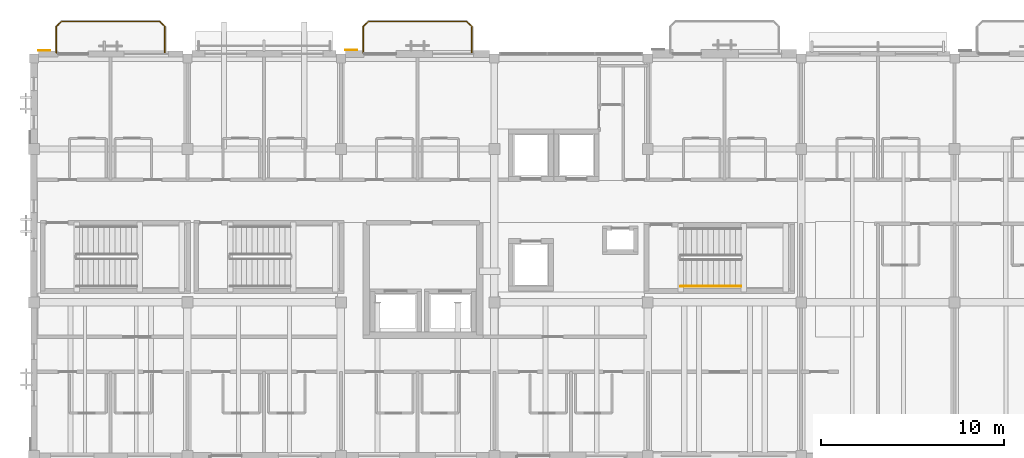
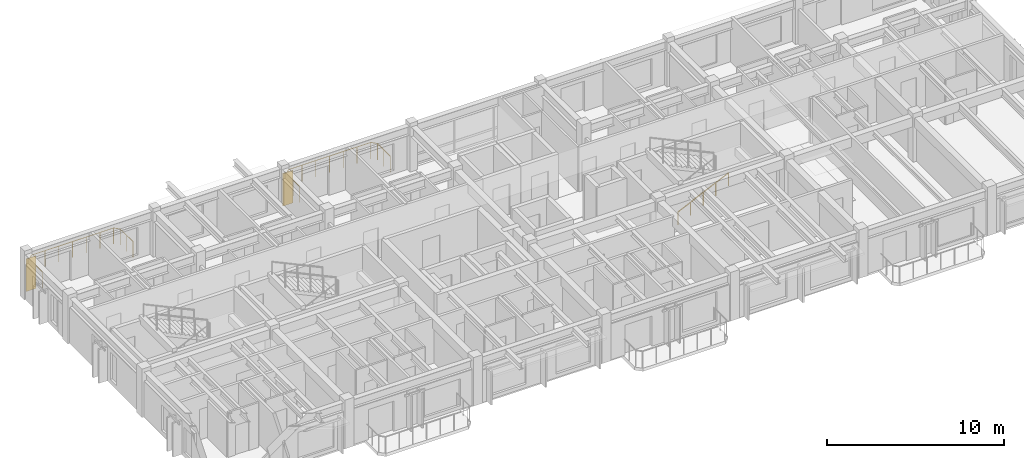
# One storey, part 30 of 31: 3 railings, 2 coverings.
"""IFC4 building model written with IfcOpenShell, lengths in metres."""

from ifc_helpers import new_model, si_unit, direction, frame, origin, origin_2d, place, context, subcontext, project, spatial, polyline, circle, outline, extrude, material, layer, layer_set, type_object, element, save


model = new_model("IFC4")

# Units and contexts
model_context = context("Model", 3, precision=1e-05, world=origin(), true_north=direction((0.0, 1.0)))
body_context = subcontext(model_context, "Body", "Model", "MODEL_VIEW")
ifc_project = project(units=[si_unit("LENGTHUNIT", "METRE"), si_unit("AREAUNIT", "SQUARE_METRE"), si_unit("VOLUMEUNIT", "CUBIC_METRE"), si_unit("PLANEANGLEUNIT", "RADIAN"), si_unit("MASSUNIT", "GRAM", prefix="KILO")], contexts=[model_context])

# Site, building, storey
site_placement = place(None, origin())
site = spatial("IfcSite", under=ifc_project, at=site_placement, CompositionType="ELEMENT")
building_placement = place(site_placement, origin())
building = spatial("IfcBuilding", under=site, at=building_placement, Name="Cumbredor Promenade Congress Hotel", CompositionType="ELEMENT")
storey_placement = place(building_placement, frame((0.0, 0.0, 31.919921875)))
storey = spatial("IfcBuildingStorey", under=building, at=storey_placement, Name="L09", CompositionType="ELEMENT", Elevation=31.919921875)

# Covering
ifc_material_1 = material(Name="Precast concrete C40/50", Category="concrete")
ifc_layer_1 = layer(ifc_material_1, 0.044921875, Name="Precast concrete C40/50", Category="concrete")
ifc_layer_set_1 = layer_set([ifc_layer_1], Name="Precast concrete C40/50")
covering_type_1 = type_object("IfcCoveringType", Name="Board-Formed Architectural Cladding Panel 45mm", PredefinedType="CLADDING", material=ifc_layer_set_1)
covering_1_placement = place(storey_placement, origin())
element("IfcCovering", 1, at=covering_1_placement, inside=storey, type_object=covering_type_1, Name="L09 Facade Stone Cladding Pier 248", PredefinedType="CLADDING", context=body_context, shape_type="SweptSolid", body=[
    extrude(outline(polyline([(25.450927734375, 114.590087890625), (26.10107421875, 114.590087890625), (26.10107421875, 114.635009765625), (25.450927734375, 114.635009765625), (25.450927734375, 114.590087890625)])), origin(), (0.0, 0.0, 1.0), 2.25),
])

# Railings
ifc_material_2 = material(Name="Brushed stainless steel", Category="steel")
railing_type_1 = type_object("IfcRailingType", Name="Sky Garden Glass-and-Steel Balustrade BAL-1150", PredefinedType="BALUSTRADE", material=ifc_material_2)
railing_1_placement = place(storey_placement, frame((26.429931640625, 114.449951171875, 0.0)))
element("IfcRailing", 2, at=railing_1_placement, inside=storey, type_object=railing_type_1, Name="L09 Veranda Balcony Balustrade 054", PredefinedType="BALUSTRADE", context=body_context, shape_type="SweptSolid", body=[
    extrude(circle(Radius=0.02392578125, at=origin_2d()), frame((0.0, 0.0, 1.1259765625), z_axis=(0.0, 1.0, 0.0), x_axis=(-1.0, 0.0, 0.0)), (0.0, 0.0, 1.0), 1.43994140625),
    extrude(circle(Radius=0.02392578125, at=origin_2d()), frame((0.0, 1.43994140625, 1.1259765625), z_axis=(0.707106781187, 0.707106781187, 0.0), x_axis=(-0.707106781187, 0.707106781187, 0.0)), (0.0, 0.0, 1.0), 0.39599609375),
    extrude(circle(Radius=0.02392578125, at=origin_2d()), frame((0.280029296875, 1.719970703125, 1.1259765625), z_axis=(1.0, 0.0, 0.0), x_axis=(0.0, 1.0, 0.0)), (0.0, 0.0, 1.0), 5.380126953125),
    extrude(circle(Radius=0.02392578125, at=origin_2d()), frame((5.66015625, 1.719970703125, 1.1259765625), z_axis=(0.707106781187, -0.707106781187, 0.0), x_axis=(0.707106781187, 0.707106781187, 0.0)), (0.0, 0.0, 1.0), 0.39599609375),
    extrude(circle(Radius=0.02392578125, at=origin_2d()), frame((5.940185546875, 1.43994140625, 1.1259765625), z_axis=(0.0, -1.0, 0.0), x_axis=(1.0, 0.0, 0.0)), (0.0, 0.0, 1.0), 1.43994140625),
    extrude(circle(Radius=0.02099609375, at=origin_2d()), origin(), (0.0, 0.0, 1.0), 1.101806640625),
    extrude(circle(Radius=0.02099609375, at=origin_2d()), frame((0.0, 0.719970703125, 0.0)), (0.0, 0.0, 1.0), 1.101806640625),
    extrude(circle(Radius=0.02099609375, at=origin_2d()), frame((0.0, 1.43994140625, 0.0)), (0.0, 0.0, 1.0), 1.101806640625),
    extrude(circle(Radius=0.02099609375, at=origin_2d()), frame((0.280029296875, 1.719970703125, 0.0)), (0.0, 0.0, 1.0), 1.101806640625),
    extrude(circle(Radius=0.02099609375, at=origin_2d()), frame((1.1767578125, 1.719970703125, 0.0)), (0.0, 0.0, 1.0), 1.101806640625),
    extrude(circle(Radius=0.02099609375, at=origin_2d()), frame((2.073486328125, 1.719970703125, 0.0)), (0.0, 0.0, 1.0), 1.101806640625),
    extrude(circle(Radius=0.02099609375, at=origin_2d()), frame((2.97021484375, 1.719970703125, 0.0)), (0.0, 0.0, 1.0), 1.101806640625),
    extrude(circle(Radius=0.02099609375, at=origin_2d()), frame((3.86669921875, 1.719970703125, 0.0)), (0.0, 0.0, 1.0), 1.101806640625),
    extrude(circle(Radius=0.02099609375, at=origin_2d()), frame((4.763427734375, 1.719970703125, 0.0)), (0.0, 0.0, 1.0), 1.101806640625),
    extrude(circle(Radius=0.02099609375, at=origin_2d()), frame((5.66015625, 1.719970703125, 0.0)), (0.0, 0.0, 1.0), 1.101806640625),
    extrude(circle(Radius=0.02099609375, at=origin_2d()), frame((5.940185546875, 1.43994140625, 0.0)), (0.0, 0.0, 1.0), 1.101806640625),
    extrude(circle(Radius=0.02099609375, at=origin_2d()), frame((5.940185546875, 0.719970703125, 0.0)), (0.0, 0.0, 1.0), 1.101806640625),
    extrude(circle(Radius=0.02099609375, at=origin_2d()), frame((5.940185546875, 0.0, 0.0)), (0.0, 0.0, 1.0), 1.101806640625),
])
railing_type_2 = type_object("IfcRailingType", Name="Stair Pitch Handrail HR-900", PredefinedType="HANDRAIL", material=ifc_material_2)
railing_2_placement = place(storey_placement, frame((43.800048828125, 101.669921875, 0.14013671875)))
element("IfcRailing", 3, at=railing_2_placement, inside=storey, type_object=railing_type_2, Name="L09 ST-03 stair handrail 1", PredefinedType="HANDRAIL", context=body_context, shape_type="SweptSolid", body=[
    extrude(circle(Radius=0.02392578125, at=origin_2d()), frame((0.0, 0.0, 0.8759765625), z_axis=(0.906181427284, 0.0, 0.422889135408), x_axis=(0.0, 1.0, 0.0)), (0.0, 0.0, 1.0), 3.6416015625),
    extrude(circle(Radius=0.02099609375, at=origin_2d()), origin(), (0.0, 0.0, 1.0), 0.851806640625),
    extrude(circle(Radius=0.02099609375, at=origin_2d()), frame((0.824951171875, 0.0, 0.385009765625)), (0.0, 0.0, 1.0), 0.851806640625),
    extrude(circle(Radius=0.02099609375, at=origin_2d()), frame((1.64990234375, 0.0, 0.77001953125)), (0.0, 0.0, 1.0), 0.851806640625),
    extrude(circle(Radius=0.02099609375, at=origin_2d()), frame((2.47509765625, 0.0, 1.155029296875)), (0.0, 0.0, 1.0), 0.851806640625),
    extrude(circle(Radius=0.02099609375, at=origin_2d()), frame((3.300048828125, 0.0, 1.5400390625)), (0.0, 0.0, 1.0), 0.851806640625),
])
railing_type_3 = type_object("IfcRailingType", Name="Terrace Perimeter Balustrade BAL-1120", PredefinedType="BALUSTRADE", material=ifc_material_2)
railing_3_placement = place(storey_placement, frame((9.6298828125, 114.449951171875, 0.0)))
element("IfcRailing", 4, at=railing_3_placement, inside=storey, type_object=railing_type_3, Name="L09 Veranda Balcony Balustrade 053", PredefinedType="BALUSTRADE", context=body_context, shape_type="SweptSolid", body=[
    extrude(circle(Radius=0.02392578125, at=origin_2d()), frame((0.0, 0.0, 1.09619140625), z_axis=(0.0, 1.0, 0.0), x_axis=(-1.0, 0.0, 0.0)), (0.0, 0.0, 1.0), 1.43994140625),
    extrude(circle(Radius=0.02392578125, at=origin_2d()), frame((0.0, 1.43994140625, 1.09619140625), z_axis=(0.707106781187, 0.707106781187, 0.0), x_axis=(-0.707106781187, 0.707106781187, 0.0)), (0.0, 0.0, 1.0), 0.39599609375),
    extrude(circle(Radius=0.02392578125, at=origin_2d()), frame((0.280029296875, 1.719970703125, 1.09619140625), z_axis=(1.0, 0.0, 0.0), x_axis=(0.0, 1.0, 0.0)), (0.0, 0.0, 1.0), 5.380126953125),
    extrude(circle(Radius=0.02392578125, at=origin_2d()), frame((5.66015625, 1.719970703125, 1.09619140625), z_axis=(0.707106781187, -0.707106781187, 0.0), x_axis=(0.707106781187, 0.707106781187, 0.0)), (0.0, 0.0, 1.0), 0.39599609375),
    extrude(circle(Radius=0.02392578125, at=origin_2d()), frame((5.940185546875, 1.43994140625, 1.09619140625), z_axis=(0.0, -1.0, 0.0), x_axis=(1.0, 0.0, 0.0)), (0.0, 0.0, 1.0), 1.43994140625),
    extrude(circle(Radius=0.02099609375, at=origin_2d()), origin(), (0.0, 0.0, 1.0), 1.072021484375),
    extrude(circle(Radius=0.02099609375, at=origin_2d()), frame((0.0, 0.719970703125, 0.0)), (0.0, 0.0, 1.0), 1.072021484375),
    extrude(circle(Radius=0.02099609375, at=origin_2d()), frame((0.0, 1.43994140625, 0.0)), (0.0, 0.0, 1.0), 1.072021484375),
    extrude(circle(Radius=0.02099609375, at=origin_2d()), frame((0.280029296875, 1.719970703125, 0.0)), (0.0, 0.0, 1.0), 1.072021484375),
    extrude(circle(Radius=0.02099609375, at=origin_2d()), frame((1.1767578125, 1.719970703125, 0.0)), (0.0, 0.0, 1.0), 1.072021484375),
    extrude(circle(Radius=0.02099609375, at=origin_2d()), frame((2.073486328125, 1.719970703125, 0.0)), (0.0, 0.0, 1.0), 1.072021484375),
    extrude(circle(Radius=0.02099609375, at=origin_2d()), frame((2.97021484375, 1.719970703125, 0.0)), (0.0, 0.0, 1.0), 1.072021484375),
    extrude(circle(Radius=0.02099609375, at=origin_2d()), frame((3.86669921875, 1.719970703125, 0.0)), (0.0, 0.0, 1.0), 1.072021484375),
    extrude(circle(Radius=0.02099609375, at=origin_2d()), frame((4.763427734375, 1.719970703125, 0.0)), (0.0, 0.0, 1.0), 1.072021484375),
    extrude(circle(Radius=0.02099609375, at=origin_2d()), frame((5.66015625, 1.719970703125, 0.0)), (0.0, 0.0, 1.0), 1.072021484375),
    extrude(circle(Radius=0.02099609375, at=origin_2d()), frame((5.940185546875, 1.43994140625, 0.0)), (0.0, 0.0, 1.0), 1.072021484375),
    extrude(circle(Radius=0.02099609375, at=origin_2d()), frame((5.940185546875, 0.719970703125, 0.0)), (0.0, 0.0, 1.0), 1.072021484375),
    extrude(circle(Radius=0.02099609375, at=origin_2d()), frame((5.940185546875, 0.0, 0.0)), (0.0, 0.0, 1.0), 1.072021484375),
])

# Covering
ifc_material_3 = material(Name="Volcanic andesite ashlar cladding", Category="masonry")
ifc_layer_2 = layer(ifc_material_3, 0.034912109375, Name="Volcanic andesite ashlar cladding", Category="masonry")
ifc_layer_set_2 = layer_set([ifc_layer_2], Name="Volcanic andesite ashlar cladding")
covering_type_2 = type_object("IfcCoveringType", Name="Volcanic Andesite Ashlar Rainscreen Cladding 35mm", PredefinedType="CLADDING", material=ifc_layer_set_2)
covering_2_placement = place(storey_placement, origin())
element("IfcCovering", 5, at=covering_2_placement, inside=storey, type_object=covering_type_2, Name="L09 Facade Stone Cladding Pier 247", PredefinedType="CLADDING", context=body_context, shape_type="SweptSolid", body=[
    extrude(outline(polyline([(8.65087890625, 114.5625), (9.301025390625, 114.5625), (9.301025390625, 114.597412109375), (8.65087890625, 114.597412109375), (8.65087890625, 114.5625)])), origin(), (0.0, 0.0, 1.0), 2.25),
])

save(model, "model.ifc")
